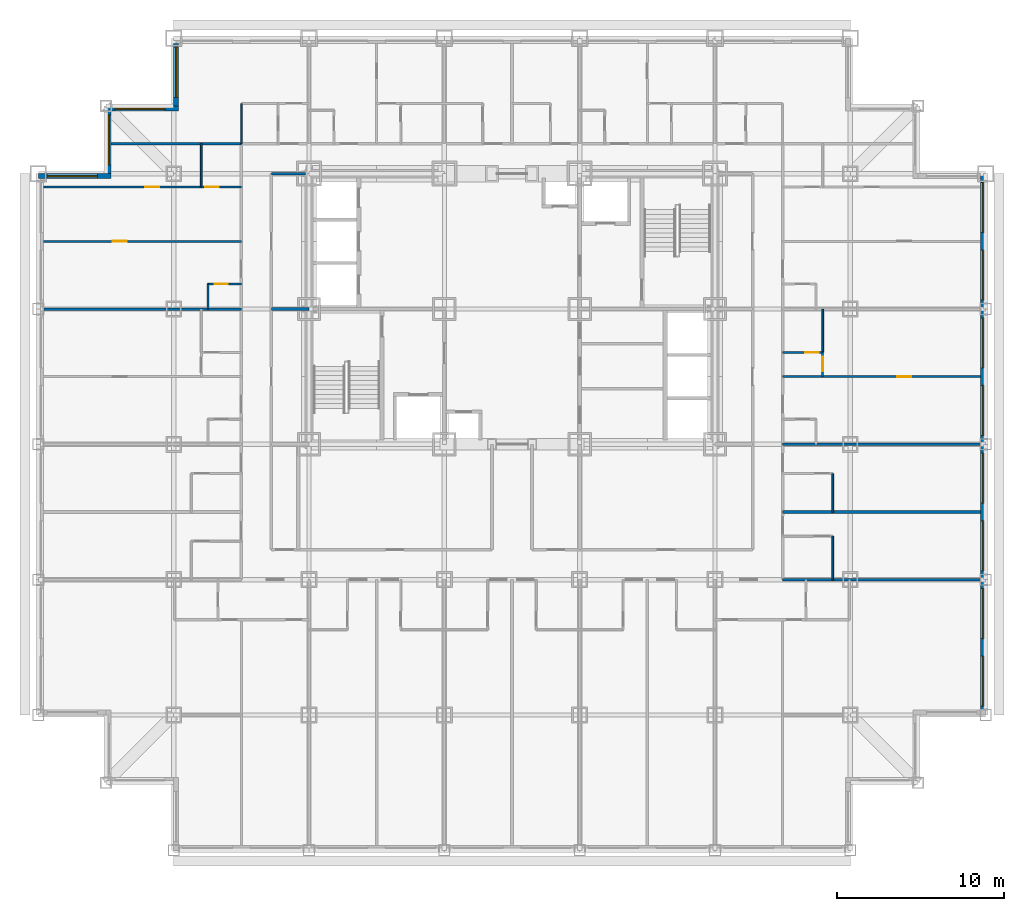
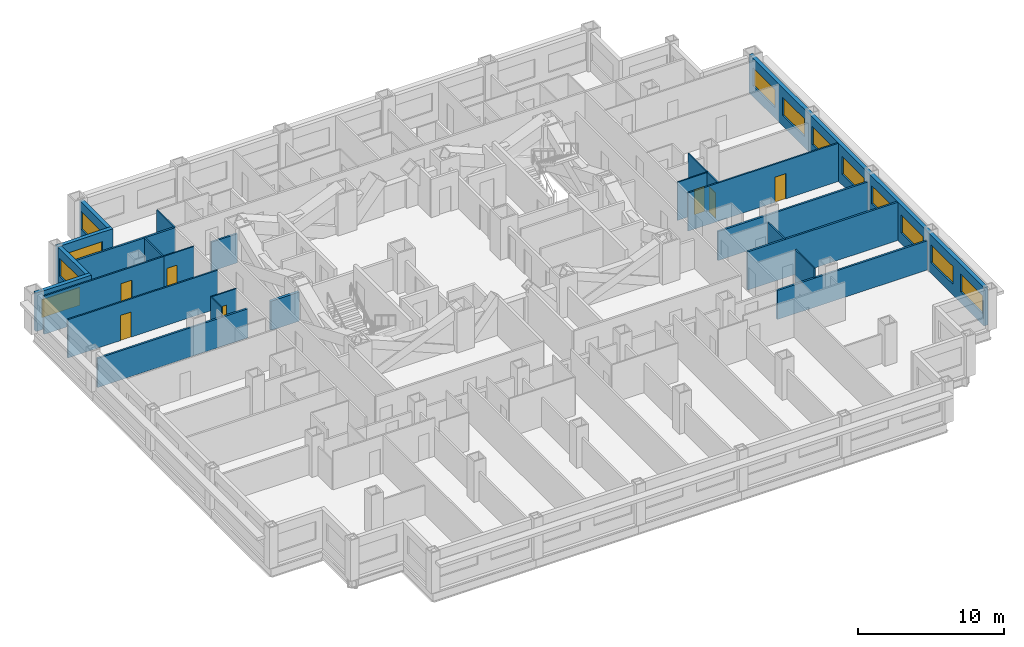
# One storey, part 7 of 11: 25 walls, 12 windows, 7 doors, 19 openings.
"""IFC4 building model written with IfcOpenShell, lengths in metres."""

import ifcopenshell
import ifcopenshell.guid

model = None  # the IFC model being written
_history = None  # IfcOwnerHistory: only IFC2X3 demands one
_inside = {}  # id of a spatial element -> (the spatial element, [elements in it])
_under = {}  # id of a project, library or spatial element -> (it, [spatial elements below it])
_declared = {}  # id of a project -> (the project, [libraries it declares])
_typed = {}  # id of a type object -> (the type object, [elements of that type])
_made_of = {}  # id of a material, layer set ... -> (it, [elements and type objects made of it])


def new_model(schema):
    """Start an empty IFC model of exactly this schema.

    Asked for "IFC4X3", IfcOpenShell would pick the latest addendum, in which some entities
    have other attributes; the version numbers below select the first issue.
    IFC2X3 requires an IfcOwnerHistory on every rooted entity: one is made here for all.
    """
    global model, _history
    if schema == "IFC4X3":
        model = ifcopenshell.file(schema_version=(4, 3, 0, 0))
    else:
        model = ifcopenshell.file(schema=schema)
    _inside.clear()
    _under.clear()
    _declared.clear()
    _typed.clear()
    _made_of.clear()
    _history = None
    if model.schema == "IFC2X3":
        org = make("IfcOrganization", Name="unknown")
        user = make(
            "IfcPersonAndOrganization",
            ThePerson=make("IfcPerson", FamilyName="unknown"),
            TheOrganization=org,
        )
        app = make(
            "IfcApplication",
            ApplicationDeveloper=org,
            Version="unknown",
            ApplicationFullName="unknown",
            ApplicationIdentifier="unknown",
        )
        _history = make(
            "IfcOwnerHistory",
            OwningUser=user,
            OwningApplication=app,
            ChangeAction="ADDED",
            CreationDate=0,
        )
    return model


def make(cls, **values):
    """One entity of the class cls with the attributes given. An attribute that is None is left unset."""
    return model.create_entity(
        cls, **{name: value for name, value in values.items() if value is not None}
    )


def rooted(cls, **values):
    """An entity with a GlobalId (a new one), such as an element, a storey or a relation."""
    return make(cls, GlobalId=ifcopenshell.guid.new(), OwnerHistory=_history, **values)


def si_unit(unit_type, name, prefix=None):
    """IfcSIUnit, for example si_unit("LENGTHUNIT", "METRE", prefix="MILLI")."""
    return make("IfcSIUnit", UnitType=unit_type, Prefix=prefix, Name=name)


def assignment(units):
    """IfcUnitAssignment: the units of a project."""
    return None if units is None else make("IfcUnitAssignment", Units=units)


def point(xyz):
    """IfcCartesianPoint."""
    return None if xyz is None else make("IfcCartesianPoint", Coordinates=xyz)


def direction(xyz):
    """IfcDirection."""
    return None if xyz is None else make("IfcDirection", DirectionRatios=xyz)


def frame(location, z_axis=None, x_axis=None):
    """IfcAxis2Placement3D, a coordinate frame: its origin and axes. An axis left out is left unset."""
    return make(
        "IfcAxis2Placement3D",
        Location=point(location),
        Axis=direction(z_axis),
        RefDirection=direction(x_axis),
    )


def frame_2d(location, x_axis=None):
    """IfcAxis2Placement2D, a coordinate frame in the plane: its origin and x axis."""
    return make(
        "IfcAxis2Placement2D", Location=point(location), RefDirection=direction(x_axis)
    )


def origin():
    """The frame at (0, 0, 0) with its axes left unset."""
    return frame((0.0, 0.0, 0.0))


def place(relative_to, where):
    """IfcLocalPlacement: puts the frame where relative to a parent placement (None: the world)."""
    return make(
        "IfcLocalPlacement", PlacementRelTo=relative_to, RelativePlacement=where
    )


def context(
    kind, dimensions, precision=None, world=None, true_north=None, identifier=None
):
    """IfcGeometricRepresentationContext, for example the 3D "Model" context."""
    return make(
        "IfcGeometricRepresentationContext",
        ContextIdentifier=identifier,
        ContextType=kind,
        CoordinateSpaceDimension=dimensions,
        Precision=precision,
        WorldCoordinateSystem=world,
        TrueNorth=true_north,
    )


def subcontext(parent, identifier, kind, view, scale=None):
    """IfcGeometricRepresentationSubContext, for example "Body" below "Model"."""
    return make(
        "IfcGeometricRepresentationSubContext",
        ContextIdentifier=identifier,
        ContextType=kind,
        ParentContext=parent,
        TargetScale=scale,
        TargetView=view,
    )


def project(units=None, contexts=None):
    """IfcProject with its units and contexts."""
    return rooted(
        "IfcProject",
        Name="project",
        RepresentationContexts=contexts,
        UnitsInContext=assignment(units),
    )


def spatial(cls, under=None, at=None, **own):
    """A site, building, storey or space (cls), placed at a placement, below another one or the project."""
    s = rooted(cls, ObjectPlacement=at, **own)
    if under is not None:
        _under.setdefault(under.id(), (under, []))[1].append(s)
    return s


def profile(cls, at=None, kind="AREA", **sizes):
    """A parametric profile (cls). Its sizes go by their IFC names, for example OverallWidth=200.0."""
    return make(cls, ProfileType=kind, Position=at, **sizes)


def rectangle(**sizes):
    """IfcRectangleProfileDef."""
    return profile("IfcRectangleProfileDef", **sizes)


def extrude(swept, where, along, depth):
    """IfcExtrudedAreaSolid: the profile swept, set in the frame where, extruded along a direction by depth."""
    return make(
        "IfcExtrudedAreaSolid",
        SweptArea=swept,
        Position=where,
        ExtrudedDirection=direction(along),
        Depth=depth,
    )


def shape(context_of_items, identifier, shape_type, items):
    """IfcShapeRepresentation: the items that make up one representation, for example the "Body"."""
    return make(
        "IfcShapeRepresentation",
        ContextOfItems=context_of_items,
        RepresentationIdentifier=identifier,
        RepresentationType=shape_type,
        Items=items,
    )


def material(Name=None, Category=None):
    """IfcMaterial."""
    return make("IfcMaterial", Name=Name, Category=Category)


def layer(
    of_material, thickness, ventilated=None, Name=None, Category=None, Priority=None
):
    """IfcMaterialLayer: one layer of a wall or slab, of a material (None: an air gap)."""
    return make(
        "IfcMaterialLayer",
        Material=of_material,
        LayerThickness=thickness,
        IsVentilated=ventilated,
        Name=Name,
        Category=Category,
        Priority=Priority,
    )


def layer_set(layers, Name=None):
    """IfcMaterialLayerSet."""
    return make("IfcMaterialLayerSet", MaterialLayers=layers, LayerSetName=Name)


def made_of(thing, what):
    """Note that an element or type object is made of a material, layer set ...; save() writes the relation."""
    if what is not None:
        _made_of.setdefault(what.id(), (what, []))[1].append(thing)
    return thing


def type_object(cls, material=None, **own):
    """A type object (cls), such as IfcWallType, which elements share."""
    return made_of(rooted(cls, **own), material)


def element(
    cls,
    number,
    at=None,
    inside=None,
    cuts=None,
    type_object=None,
    material=None,
    context=None,
    identifier="Body",
    shape_type=None,
    held_by="IfcProductDefinitionShape",
    body=None,
    shapes=None,
    **own,
):
    """One element of the class cls, such as IfcWall. Its Tag is "e" and its number.

    at: its placement. inside: the storey or other place that contains it. cuts: it is an
    opening in that element (IfcRelVoidsElement). A single representation is given by context,
    identifier, shape_type and body (its items); several are given by shapes. held_by: the class
    of the entity that holds the representations. save() writes the other relations.
    """
    e = rooted(cls, Tag="e%d" % number, ObjectPlacement=at, **own)
    if body is not None:
        shapes = [shape(context, identifier, shape_type, body)]
    if shapes is not None:
        e.Representation = make(held_by, Representations=shapes)
    if inside is not None:
        _inside.setdefault(inside.id(), (inside, []))[1].append(e)
    if cuts is not None:
        rooted(
            "IfcRelVoidsElement", RelatingBuildingElement=cuts, RelatedOpeningElement=e
        )
    if type_object is not None:
        _typed.setdefault(type_object.id(), (type_object, []))[1].append(e)
    return made_of(e, material)


def fill(opening, filler):
    """IfcRelFillsElement: the door or window that sits in an opening."""
    return rooted(
        "IfcRelFillsElement",
        RelatingOpeningElement=opening,
        RelatedBuildingElement=filler,
    )


def aggregate(whole, parts):
    """IfcRelAggregates: a whole, such as a stair, and the parts it consists of."""
    return rooted("IfcRelAggregates", RelatingObject=whole, RelatedObjects=parts)


def save(model, path):
    """Write the relations noted so far, then the file.

    IfcRelAggregates (storeys below a building ...), IfcRelContainedInSpatialStructure (elements
    in a storey), IfcRelDefinesByType, IfcRelAssociatesMaterial and IfcRelDeclares: one each for
    every whole, place, type object, material and project.
    """
    for whole, parts in _under.values():
        aggregate(whole, parts)
    for where, things in _inside.values():
        rooted(
            "IfcRelContainedInSpatialStructure",
            RelatedElements=things,
            RelatingStructure=where,
        )
    for kind, things in _typed.values():
        rooted("IfcRelDefinesByType", RelatedObjects=things, RelatingType=kind)
    for what, things in _made_of.values():
        rooted("IfcRelAssociatesMaterial", RelatedObjects=things, RelatingMaterial=what)
    for by, libraries in _declared.values():
        rooted("IfcRelDeclares", RelatingContext=by, RelatedDefinitions=libraries)
    model.write(path)


model = new_model("IFC4")

# Units and contexts
model_context = context("Model", 3, precision=1e-05, world=origin(), true_north=direction((0.0, 1.0)))
body_context = subcontext(model_context, "Body", "Model", "MODEL_VIEW")
ifc_project = project(units=[si_unit("LENGTHUNIT", "METRE"), si_unit("AREAUNIT", "SQUARE_METRE"), si_unit("VOLUMEUNIT", "CUBIC_METRE"), si_unit("PLANEANGLEUNIT", "RADIAN"), si_unit("MASSUNIT", "GRAM", prefix="KILO")], contexts=[model_context])

# Site, building, storey
site_placement = place(None, origin())
site = spatial("IfcSite", under=ifc_project, at=site_placement, CompositionType="ELEMENT")
building_placement = place(site_placement, origin())
building = spatial("IfcBuilding", under=site, at=building_placement, Name="Kopane Lantern Tower", CompositionType="ELEMENT")
storey_placement = place(building_placement, frame((0.0, 0.0, 84.0)))
storey = spatial("IfcBuildingStorey", under=building, at=storey_placement, Name="L21", CompositionType="ELEMENT", Elevation=84.0)

# Wall, opening, door
ifc_material_1 = material(Name="Gypsum board on steel studs", Category="steel")
ifc_layer_1 = layer(ifc_material_1, 0.1201171875)
ifc_layer_set_1 = layer_set([ifc_layer_1], Name="APARTMENT INTERNAL WALL 120")
wall_type_1 = type_object("IfcWallType", Name="APARTMENT INTERNAL WALL 120", PredefinedType="PARTITIONING", material=ifc_layer_set_1)
wall_1_placement = place(storey_placement, frame((12.14990234375, 36.449951171875, 0.0), z_axis=(0.0, 0.0, 1.0), x_axis=(-1.0, 0.0, 0.0)))
wall_1 = element("IfcWall", 1, at=wall_1_placement, inside=storey, type_object=wall_type_1, Name="Apartment Internal Wall 120 L21", PredefinedType="PARTITIONING", context=body_context, shape_type="SweptSolid", body=[
    extrude(rectangle(XDim=11.849853515625, YDim=0.1201171875, at=frame_2d((5.9248046875, 0.0))), origin(), (0.0, 0.0, 1.0), 3.18994140625),
])
opening_1_placement = place(wall_1_placement, frame((6.85009765625, 0.0, 0.0)))
opening_1 = element("IfcOpeningElement", 2, at=opening_1_placement, cuts=wall_1, Name="Opening L21-044", PredefinedType="OPENING", context=body_context, shape_type="SweptSolid", body=[
    extrude(rectangle(XDim=0.85009765625, YDim=2.10009765625, at=frame_2d((0.425048828125, 1.050048828125))), frame((0.0, 0.070068359375, 0.0), z_axis=(0.0, -1.0, 0.0), x_axis=(1.0, 0.0, 0.0)), (0.0, 0.0, 1.0), 0.14013671875),
])
ifc_material_2 = material(Name="Timber door set", Category="wood")
door_type_1 = type_object("IfcDoorType", Name="DOOR D4 850x2100", OperationType="SINGLE_SWING_LEFT", PredefinedType="DOOR", material=ifc_material_2)
door_1_placement = place(opening_1_placement, origin())
door_1 = element("IfcDoor", 3, at=door_1_placement, inside=storey, type_object=door_type_1, Name="Door L21-044", OperationType="SINGLE_SWING_RIGHT", OverallHeight=2.10009765625, OverallWidth=0.85009765625, PredefinedType="DOOR", context=body_context, shape_type="SweptSolid", body=[
    extrude(rectangle(XDim=0.85009765625, YDim=2.10009765625, at=frame_2d((0.425048828125, 1.050048828125))), frame((0.0, 0.02490234375, 0.0), z_axis=(0.0, -1.0, 0.0), x_axis=(1.0, 0.0, 0.0)), (0.0, 0.0, 1.0), 0.050048828125),
])
fill(opening_1, door_1)

wall_2_placement = place(storey_placement, frame((44.550048828125, 28.35009765625, 0.0), z_axis=(0.0, 0.0, 1.0), x_axis=(1.0, 0.0, 0.0)))
wall_2 = element("IfcWall", 4, at=wall_2_placement, inside=storey, type_object=wall_type_1, Name="Apartment Internal Wall 120 L21", PredefinedType="PARTITIONING", context=body_context, shape_type="SweptSolid", body=[
    extrude(rectangle(XDim=11.849853515625, YDim=0.1201171875, at=frame_2d((5.9248046875, 0.0))), origin(), (0.0, 0.0, 1.0), 3.18994140625),
])
opening_2_placement = place(wall_2_placement, frame((6.85009765625, 0.0, 0.0)))
opening_2 = element("IfcOpeningElement", 5, at=opening_2_placement, cuts=wall_2, Name="Opening L21-052", PredefinedType="OPENING", context=body_context, shape_type="SweptSolid", body=[
    extrude(rectangle(XDim=0.85009765625, YDim=2.10009765625, at=frame_2d((0.425048828125, 1.050048828125))), frame((0.0, 0.070068359375, 0.0), z_axis=(0.0, -1.0, 0.0), x_axis=(1.0, 0.0, 0.0)), (0.0, 0.0, 1.0), 0.14013671875),
])
door_2_placement = place(opening_2_placement, origin())
door_2 = element("IfcDoor", 6, at=door_2_placement, inside=storey, type_object=door_type_1, Name="Door L21-052", OperationType="SINGLE_SWING_LEFT", OverallHeight=2.10009765625, OverallWidth=0.85009765625, PredefinedType="DOOR", context=body_context, shape_type="SweptSolid", body=[
    extrude(rectangle(XDim=0.85009765625, YDim=2.10009765625, at=frame_2d((0.425048828125, 1.050048828125))), frame((0.0, 0.02490234375, 0.0), z_axis=(0.0, -1.0, 0.0), x_axis=(1.0, 0.0, 0.0)), (0.0, 0.0, 1.0), 0.050048828125),
])
fill(opening_2, door_2)

wall_3_placement = place(storey_placement, frame((9.760009765625, 39.699951171875, 0.0), z_axis=(0.0, 0.0, 1.0), x_axis=(-1.0, 0.0, 0.0)))
wall_3 = element("IfcWall", 7, at=wall_3_placement, inside=storey, type_object=wall_type_1, Name="Apartment Internal Wall 120 L21", PredefinedType="PARTITIONING", context=body_context, shape_type="SweptSolid", body=[
    extrude(rectangle(XDim=9.4599609375, YDim=0.1201171875, at=frame_2d((4.72998046875, 0.0))), origin(), (0.0, 0.0, 1.0), 3.18994140625),
])
opening_3_placement = place(wall_3_placement, frame((2.52490234375, 0.0, 0.0)))
opening_3 = element("IfcOpeningElement", 8, at=opening_3_placement, cuts=wall_3, Name="Opening L21-074", PredefinedType="OPENING", context=body_context, shape_type="SweptSolid", body=[
    extrude(rectangle(XDim=0.85009765625, YDim=2.10009765625, at=frame_2d((0.425048828125, 1.050048828125))), frame((0.0, 0.070068359375, 0.0), z_axis=(0.0, -1.0, 0.0), x_axis=(1.0, 0.0, 0.0)), (0.0, 0.0, 1.0), 0.14013671875),
])
door_3_placement = place(opening_3_placement, origin())
door_3 = element("IfcDoor", 9, at=door_3_placement, inside=storey, type_object=door_type_1, Name="Door L21-074", OperationType="SINGLE_SWING_RIGHT", OverallHeight=2.10009765625, OverallWidth=0.85009765625, PredefinedType="DOOR", context=body_context, shape_type="SweptSolid", body=[
    extrude(rectangle(XDim=0.85009765625, YDim=2.10009765625, at=frame_2d((0.425048828125, 1.050048828125))), frame((0.0, 0.02490234375, 0.0), z_axis=(0.0, -1.0, 0.0), x_axis=(1.0, 0.0, 0.0)), (0.0, 0.0, 1.0), 0.050048828125),
])
fill(opening_3, door_3)

wall_4_placement = place(storey_placement, frame((46.949951171875, 29.81005859375, 0.0), z_axis=(0.0, 0.0, 1.0), x_axis=(0.0, -1.0, 0.0)))
wall_4 = element("IfcWall", 10, at=wall_4_placement, inside=storey, type_object=wall_type_1, Name="Apartment Internal Wall 120 L21", PredefinedType="PARTITIONING", context=body_context, shape_type="SweptSolid", body=[
    extrude(rectangle(XDim=1.4599609375, YDim=0.1201171875, at=frame_2d((0.72998046875, 0.0))), origin(), (0.0, 0.0, 1.0), 3.18994140625),
])
opening_4_placement = place(wall_4_placement, frame((0.27490234375, 0.0, 0.0)))
opening_4 = element("IfcOpeningElement", 11, at=opening_4_placement, cuts=wall_4, Name="Opening L21-075", PredefinedType="OPENING", context=body_context, shape_type="SweptSolid", body=[
    extrude(rectangle(XDim=0.85009765625, YDim=2.10009765625, at=frame_2d((0.425048828125, 1.050048828125))), frame((0.0, 0.070068359375, 0.0), z_axis=(0.0, -1.0, 0.0), x_axis=(1.0, 0.0, 0.0)), (0.0, 0.0, 1.0), 0.14013671875),
])
door_4_placement = place(opening_4_placement, origin())
door_4 = element("IfcDoor", 12, at=door_4_placement, inside=storey, type_object=door_type_1, Name="Door L21-075", OperationType="SINGLE_SWING_RIGHT", OverallHeight=2.10009765625, OverallWidth=0.85009765625, PredefinedType="DOOR", context=body_context, shape_type="SweptSolid", body=[
    extrude(rectangle(XDim=0.85009765625, YDim=2.10009765625, at=frame_2d((0.425048828125, 1.050048828125))), frame((0.0, 0.02490234375, 0.0), z_axis=(0.0, -1.0, 0.0), x_axis=(1.0, 0.0, 0.0)), (0.0, 0.0, 1.0), 0.050048828125),
])
fill(opening_4, door_4)

# Wall
ifc_material_3 = material(Name="Moisture-resistant board on steel studs", Category="steel")
ifc_layer_2 = layer(ifc_material_3, 0.10009765625)
ifc_layer_set_2 = layer_set([ifc_layer_2], Name="BATHROOM WALL 100")
wall_type_2 = type_object("IfcWallType", Name="BATHROOM WALL 100", PredefinedType="PARTITIONING", material=ifc_layer_set_2)
wall_5_placement = place(storey_placement, frame((10.14990234375, 32.39990234375, 0.0), z_axis=(0.0, 0.0, 1.0), x_axis=(0.0, 1.0, 0.0)))
element("IfcWall", 13, at=wall_5_placement, inside=storey, type_object=wall_type_2, Name="Bathroom Wall 100 L21", PredefinedType="PARTITIONING", context=body_context, shape_type="SweptSolid", body=[
    extrude(rectangle(XDim=1.5, YDim=0.10009765625, at=frame_2d((0.75, 0.0))), origin(), (0.0, 0.0, 1.0), 3.18994140625),
])

# Wall, opening, door
wall_6_placement = place(storey_placement, frame((12.14990234375, 33.89990234375, 0.0), z_axis=(0.0, 0.0, 1.0), x_axis=(-1.0, 0.0, 0.0)))
wall_6 = element("IfcWall", 14, at=wall_6_placement, inside=storey, type_object=wall_type_2, Name="Bathroom Wall 100 L21", PredefinedType="PARTITIONING", context=body_context, shape_type="SweptSolid", body=[
    extrude(rectangle(XDim=2.0, YDim=0.10009765625, at=frame_2d((1.0, 0.0))), origin(), (0.0, 0.0, 1.0), 3.18994140625),
])
opening_5_placement = place(wall_6_placement, frame((0.800048828125, 0.0, 0.0)))
opening_5 = element("IfcOpeningElement", 15, at=opening_5_placement, cuts=wall_6, Name="Opening L21-041", PredefinedType="OPENING", context=body_context, shape_type="SweptSolid", body=[
    extrude(rectangle(XDim=0.800048828125, YDim=2.10009765625, at=frame_2d((0.39990234375, 1.050048828125))), frame((0.0, 0.06005859375, 0.0), z_axis=(0.0, -1.0, 0.0), x_axis=(1.0, 0.0, 0.0)), (0.0, 0.0, 1.0), 0.1201171875),
])
ifc_material_4 = material(Name="Timber door set", Category="wood")
door_type_2 = type_object("IfcDoorType", Name="DOOR D2 800x2100", OperationType="SINGLE_SWING_LEFT", PredefinedType="DOOR", material=ifc_material_4)
door_5_placement = place(opening_5_placement, origin())
door_5 = element("IfcDoor", 16, at=door_5_placement, inside=storey, type_object=door_type_2, Name="Door L21-041", OperationType="SINGLE_SWING_RIGHT", OverallHeight=2.10009765625, OverallWidth=0.800048828125, PredefinedType="DOOR", context=body_context, shape_type="SweptSolid", body=[
    extrude(rectangle(XDim=0.800048828125, YDim=2.10009765625, at=frame_2d((0.39990234375, 1.050048828125))), frame((0.0, 0.02490234375, 0.0), z_axis=(0.0, -1.0, 0.0), x_axis=(1.0, 0.0, 0.0)), (0.0, 0.0, 1.0), 0.050048828125),
])
fill(opening_5, door_5)

# Wall
wall_7_placement = place(storey_placement, frame((9.75, 39.699951171875, 0.0), z_axis=(0.0, 0.0, 1.0), x_axis=(0.0, 1.0, 0.0)))
element("IfcWall", 17, at=wall_7_placement, inside=storey, type_object=wall_type_2, Name="Bathroom Wall 100 L21", PredefinedType="PARTITIONING", context=body_context, shape_type="SweptSolid", body=[
    extrude(rectangle(XDim=2.60009765625, YDim=0.10009765625, at=frame_2d((1.300048828125, 0.0))), origin(), (0.0, 0.0, 1.0), 3.18994140625),
])

# Wall, opening, door
wall_8_placement = place(storey_placement, frame((12.14990234375, 39.699951171875, 0.0), z_axis=(0.0, 0.0, 1.0), x_axis=(-1.0, 0.0, 0.0)))
wall_8 = element("IfcWall", 18, at=wall_8_placement, inside=storey, type_object=wall_type_2, Name="Bathroom Wall 100 L21", PredefinedType="PARTITIONING", context=body_context, shape_type="SweptSolid", body=[
    extrude(rectangle(XDim=2.39990234375, YDim=0.10009765625, at=frame_2d((1.199951171875, 0.0))), origin(), (0.0, 0.0, 1.0), 3.18994140625),
])
opening_6_placement = place(wall_8_placement, frame((1.35009765625, 0.0, 0.0)))
opening_6 = element("IfcOpeningElement", 19, at=opening_6_placement, cuts=wall_8, Name="Opening L21-043", PredefinedType="OPENING", context=body_context, shape_type="SweptSolid", body=[
    extrude(rectangle(XDim=0.800048828125, YDim=2.10009765625, at=frame_2d((0.39990234375, 1.050048828125))), frame((0.0, 0.06005859375, 0.0), z_axis=(0.0, -1.0, 0.0), x_axis=(1.0, 0.0, 0.0)), (0.0, 0.0, 1.0), 0.1201171875),
])
door_6_placement = place(opening_6_placement, origin())
door_6 = element("IfcDoor", 20, at=door_6_placement, inside=storey, type_object=door_type_2, Name="Door L21-043", OperationType="SINGLE_SWING_LEFT", OverallHeight=2.10009765625, OverallWidth=0.800048828125, PredefinedType="DOOR", context=body_context, shape_type="SweptSolid", body=[
    extrude(rectangle(XDim=0.800048828125, YDim=2.10009765625, at=frame_2d((0.39990234375, 1.050048828125))), frame((0.0, 0.02490234375, 0.0), z_axis=(0.0, -1.0, 0.0), x_axis=(1.0, 0.0, 0.0)), (0.0, 0.0, 1.0), 0.050048828125),
])
fill(opening_6, door_6)

# Walls
wall_9_placement = place(storey_placement, frame((47.550048828125, 16.199951171875, 0.0), z_axis=(0.0, 0.0, 1.0), x_axis=(0.0, 1.0, 0.0)))
element("IfcWall", 21, at=wall_9_placement, inside=storey, type_object=wall_type_2, Name="Bathroom Wall 100 L21", PredefinedType="PARTITIONING", context=body_context, shape_type="SweptSolid", body=[
    extrude(rectangle(XDim=2.60009765625, YDim=0.10009765625, at=frame_2d((1.300048828125, 0.0))), origin(), (0.0, 0.0, 1.0), 3.18994140625),
])
wall_10_placement = place(storey_placement, frame((47.550048828125, 20.25, 0.0), z_axis=(0.0, 0.0, 1.0), x_axis=(0.0, 1.0, 0.0)))
element("IfcWall", 22, at=wall_10_placement, inside=storey, type_object=wall_type_2, Name="Bathroom Wall 100 L21", PredefinedType="PARTITIONING", context=body_context, shape_type="SweptSolid", body=[
    extrude(rectangle(XDim=2.300048828125, YDim=0.10009765625, at=frame_2d((1.14990234375, 0.0))), origin(), (0.0, 0.0, 1.0), 3.18994140625),
])
wall_11_placement = place(storey_placement, frame((46.949951171875, 29.800048828125, 0.0), z_axis=(0.0, 0.0, 1.0), x_axis=(0.0, 1.0, 0.0)))
element("IfcWall", 23, at=wall_11_placement, inside=storey, type_object=wall_type_2, Name="Bathroom Wall 100 L21", PredefinedType="PARTITIONING", context=body_context, shape_type="SweptSolid", body=[
    extrude(rectangle(XDim=2.599853515625, YDim=0.10009765625, at=frame_2d((1.2998046875, 0.0))), origin(), (0.0, 0.0, 1.0), 3.18994140625),
])

# Wall, opening, door
wall_12_placement = place(storey_placement, frame((44.550048828125, 29.800048828125, 0.0), z_axis=(0.0, 0.0, 1.0), x_axis=(1.0, 0.0, 0.0)))
wall_12 = element("IfcWall", 24, at=wall_12_placement, inside=storey, type_object=wall_type_2, Name="Bathroom Wall 100 L21", PredefinedType="PARTITIONING", context=body_context, shape_type="SweptSolid", body=[
    extrude(rectangle(XDim=2.39990234375, YDim=0.10009765625, at=frame_2d((1.199951171875, 0.0))), origin(), (0.0, 0.0, 1.0), 3.18994140625),
])
opening_7_placement = place(wall_12_placement, frame((1.35009765625, 0.0, 0.0)))
opening_7 = element("IfcOpeningElement", 25, at=opening_7_placement, cuts=wall_12, Name="Opening L21-051", PredefinedType="OPENING", context=body_context, shape_type="SweptSolid", body=[
    extrude(rectangle(XDim=0.800048828125, YDim=2.10009765625, at=frame_2d((0.39990234375, 1.050048828125))), frame((0.0, 0.06005859375, 0.0), z_axis=(0.0, -1.0, 0.0), x_axis=(1.0, 0.0, 0.0)), (0.0, 0.0, 1.0), 0.1201171875),
])
door_7_placement = place(opening_7_placement, origin())
door_7 = element("IfcDoor", 26, at=door_7_placement, inside=storey, type_object=door_type_2, Name="Door L21-051", OperationType="SINGLE_SWING_LEFT", OverallHeight=2.10009765625, OverallWidth=0.800048828125, PredefinedType="DOOR", context=body_context, shape_type="SweptSolid", body=[
    extrude(rectangle(XDim=0.800048828125, YDim=2.10009765625, at=frame_2d((0.39990234375, 1.050048828125))), frame((0.0, 0.02490234375, 0.0), z_axis=(0.0, -1.0, 0.0), x_axis=(1.0, 0.0, 0.0)), (0.0, 0.0, 1.0), 0.050048828125),
])
fill(opening_7, door_7)

# Walls
wall_13_placement = place(storey_placement, frame((12.14990234375, 42.300048828125, 0.0), z_axis=(0.0, 0.0, 1.0), x_axis=(0.0, 1.0, 0.0)))
element("IfcWall", 27, at=wall_13_placement, inside=storey, type_object=wall_type_2, Name="Bathroom Wall 100 L21", PredefinedType="PARTITIONING", context=body_context, shape_type="SweptSolid", body=[
    extrude(rectangle(XDim=2.39990234375, YDim=0.10009765625, at=frame_2d((1.199951171875, 0.0))), origin(), (0.0, 0.0, 1.0), 3.18994140625),
])
ifc_material_5 = material(Name="Gypsum board on steel studs", Category="steel")
ifc_layer_3 = layer(ifc_material_5, 0.14990234375)
ifc_layer_set_3 = layer_set([ifc_layer_3], Name="CORRIDOR WALL 150 EI 60")
wall_type_3 = type_object("IfcWallType", Name="CORRIDOR WALL 150 EI 60", PredefinedType="PARTITIONING", material=ifc_layer_set_3)
wall_14_placement = place(storey_placement, frame((16.0, 40.5, 0.0), z_axis=(0.0, 0.0, 1.0), x_axis=(-1.0, 0.0, 0.0)))
element("IfcWall", 28, at=wall_14_placement, inside=storey, type_object=wall_type_3, Name="Corridor Wall 150 Ei 60 L21", PredefinedType="PARTITIONING", context=body_context, shape_type="SweptSolid", body=[
    extrude(rectangle(XDim=2.050048828125, YDim=0.14990234375, at=frame_2d((1.02490234375, 0.0))), origin(), (0.0, 0.0, 1.0), 2.427734375),
])
ifc_material_6 = material(Name="Gypsum board on steel studs", Category="steel")
ifc_layer_4 = layer(ifc_material_6, 0.14990234375)
ifc_layer_set_4 = layer_set([ifc_layer_4], Name="DEMISING WALL 150 EI 60")
wall_type_4 = type_object("IfcWallType", Name="DEMISING WALL 150 EI 60", PredefinedType="PARTITIONING", material=ifc_layer_set_4)
wall_15_placement = place(storey_placement, frame((12.14990234375, 32.39990234375, 0.0), z_axis=(0.0, 0.0, 1.0), x_axis=(-1.0, 0.0, 0.0)))
element("IfcWall", 29, at=wall_15_placement, inside=storey, type_object=wall_type_4, Name="Demising Wall 150 Ei 60 L21", PredefinedType="PARTITIONING", context=body_context, shape_type="SweptSolid", body=[
    extrude(rectangle(XDim=11.849853515625, YDim=0.14990234375, at=frame_2d((5.9248046875, 0.0))), origin(), (0.0, 0.0, 1.0), 2.427734375),
])
wall_16_placement = place(storey_placement, frame((44.550048828125, 20.25, 0.0), z_axis=(0.0, 0.0, 1.0), x_axis=(1.0, 0.0, 0.0)))
element("IfcWall", 30, at=wall_16_placement, inside=storey, type_object=wall_type_4, Name="Demising Wall 150 Ei 60 L21", PredefinedType="PARTITIONING", context=body_context, shape_type="SweptSolid", body=[
    extrude(rectangle(XDim=11.849853515625, YDim=0.14990234375, at=frame_2d((5.9248046875, 0.0))), origin(), (0.0, 0.0, 1.0), 3.18994140625),
])
for number, where, z_axis, x_axis, name in (
    (31, (44.550048828125, 24.300048828125, 0.0), (0.0, 0.0, 1.0), (1.0, 0.0, 0.0), "Demising Wall 150 Ei 60 L21"),
    (32, (44.550048828125, 16.199951171875, 0.0), (0.0, 0.0, 1.0), (1.0, 0.0, 0.0), "Demising Wall 150 Ei 60 L21"),
):
    element("IfcWall", number, at=place(storey_placement, frame(where, z_axis=z_axis, x_axis=x_axis)), inside=storey, type_object=wall_type_4, Name=name, PredefinedType="PARTITIONING", context=body_context, shape_type="SweptSolid", body=[
        extrude(rectangle(XDim=11.849853515625, YDim=0.14990234375, at=frame_2d((5.9248046875, 0.0))), origin(), (0.0, 0.0, 1.0), 2.427734375),
    ])
wall_17_placement = place(storey_placement, frame((4.35009765625, 42.300048828125, 0.0), z_axis=(0.0, 0.0, 1.0), x_axis=(1.0, 0.0, 0.0)))
element("IfcWall", 33, at=wall_17_placement, inside=storey, type_object=wall_type_4, Name="Demising Wall 150 Ei 60 L21", PredefinedType="PARTITIONING", context=body_context, shape_type="SweptSolid", body=[
    extrude(rectangle(XDim=7.7998046875, YDim=0.14990234375, at=frame_2d((3.89990234375, 0.0))), origin(), (0.0, 0.0, 1.0), 3.18994140625),
])

# Wall, openings, windows
ifc_material_7 = material(Name="Terracotta rainscreen on light steel framing", Category="masonry")
ifc_layer_5 = layer(ifc_material_7, 0.300048828125)
ifc_layer_set_5 = layer_set([ifc_layer_5], Name="EXTERNAL WALL EW1 300 TERRACOTTA")
wall_type_5 = type_object("IfcWallType", Name="EXTERNAL WALL EW1 300 TERRACOTTA", PredefinedType="SOLIDWALL", material=ifc_layer_set_5)
wall_18_placement = place(storey_placement, frame((56.550048828125, 8.39990234375, 0.0), z_axis=(0.0, 0.0, 1.0), x_axis=(0.0, 1.0, 0.0)))
wall_18 = element("IfcWall", 34, at=wall_18_placement, inside=storey, type_object=wall_type_5, Name="External wall E L21", PredefinedType="SOLIDWALL", context=body_context, shape_type="SweptSolid", body=[
    extrude(rectangle(XDim=32.10009765625, YDim=0.300048828125, at=frame_2d((16.050048828125, 0.0))), origin(), (0.0, 0.0, 1.0), 3.18994140625),
])
opening_8_placement = place(wall_18_placement, frame((0.22509765625, 0.0, 0.89990234375)))
opening_8 = element("IfcOpeningElement", 35, at=opening_8_placement, cuts=wall_18, Name="Opening WR300150", PredefinedType="OPENING", context=body_context, shape_type="SweptSolid", body=[
    extrude(rectangle(XDim=3.0, YDim=1.5, at=frame_2d((1.5, 0.75))), frame((0.0, 0.159912109375, 0.0), z_axis=(0.0, -1.0, 0.0), x_axis=(1.0, 0.0, 0.0)), (0.0, 0.0, 1.0), 0.320068359375),
])
opening_9_placement = place(wall_18_placement, frame((4.27490234375, 0.0, 0.89990234375)))
opening_9 = element("IfcOpeningElement", 36, at=opening_9_placement, cuts=wall_18, Name="Opening WR300150", PredefinedType="OPENING", context=body_context, shape_type="SweptSolid", body=[
    extrude(rectangle(XDim=3.0, YDim=1.5, at=frame_2d((1.5, 0.75))), frame((0.0, 0.159912109375, 0.0), z_axis=(0.0, -1.0, 0.0), x_axis=(1.0, 0.0, 0.0)), (0.0, 0.0, 1.0), 0.320068359375),
])
opening_10_placement = place(wall_18_placement, frame((8.324951171875, 0.0, 0.89990234375)))
opening_10 = element("IfcOpeningElement", 37, at=opening_10_placement, cuts=wall_18, Name="Opening WR300150", PredefinedType="OPENING", context=body_context, shape_type="SweptSolid", body=[
    extrude(rectangle(XDim=3.0, YDim=1.5, at=frame_2d((1.5, 0.75))), frame((0.0, 0.159912109375, 0.0), z_axis=(0.0, -1.0, 0.0), x_axis=(1.0, 0.0, 0.0)), (0.0, 0.0, 1.0), 0.320068359375),
])
opening_11_placement = place(wall_18_placement, frame((12.375, 0.0, 0.89990234375)))
opening_11 = element("IfcOpeningElement", 38, at=opening_11_placement, cuts=wall_18, Name="Opening WR300150", PredefinedType="OPENING", context=body_context, shape_type="SweptSolid", body=[
    extrude(rectangle(XDim=3.0, YDim=1.5, at=frame_2d((1.5, 0.75))), frame((0.0, 0.159912109375, 0.0), z_axis=(0.0, -1.0, 0.0), x_axis=(1.0, 0.0, 0.0)), (0.0, 0.0, 1.0), 0.320068359375),
])
opening_12_placement = place(wall_18_placement, frame((16.425048828125, 0.0, 0.89990234375)))
opening_12 = element("IfcOpeningElement", 39, at=opening_12_placement, cuts=wall_18, Name="Opening WR300150", PredefinedType="OPENING", context=body_context, shape_type="SweptSolid", body=[
    extrude(rectangle(XDim=3.0, YDim=1.5, at=frame_2d((1.5, 0.75))), frame((0.0, 0.159912109375, 0.0), z_axis=(0.0, -1.0, 0.0), x_axis=(1.0, 0.0, 0.0)), (0.0, 0.0, 1.0), 0.320068359375),
])
opening_13_placement = place(wall_18_placement, frame((20.47509765625, 0.0, 0.89990234375)))
opening_13 = element("IfcOpeningElement", 40, at=opening_13_placement, cuts=wall_18, Name="Opening WR300150", PredefinedType="OPENING", context=body_context, shape_type="SweptSolid", body=[
    extrude(rectangle(XDim=3.0, YDim=1.5, at=frame_2d((1.5, 0.75))), frame((0.0, 0.159912109375, 0.0), z_axis=(0.0, -1.0, 0.0), x_axis=(1.0, 0.0, 0.0)), (0.0, 0.0, 1.0), 0.320068359375),
])
opening_14_placement = place(wall_18_placement, frame((24.52490234375, 0.0, 0.89990234375)))
opening_14 = element("IfcOpeningElement", 41, at=opening_14_placement, cuts=wall_18, Name="Opening WR300150", PredefinedType="OPENING", context=body_context, shape_type="SweptSolid", body=[
    extrude(rectangle(XDim=3.0, YDim=1.5, at=frame_2d((1.5, 0.75))), frame((0.0, 0.159912109375, 0.0), z_axis=(0.0, -1.0, 0.0), x_axis=(1.0, 0.0, 0.0)), (0.0, 0.0, 1.0), 0.320068359375),
])
opening_15_placement = place(wall_18_placement, frame((28.574951171875, 0.0, 0.89990234375)))
opening_15 = element("IfcOpeningElement", 42, at=opening_15_placement, cuts=wall_18, Name="Opening WR300150", PredefinedType="OPENING", context=body_context, shape_type="SweptSolid", body=[
    extrude(rectangle(XDim=3.0, YDim=1.5, at=frame_2d((1.5, 0.75))), frame((0.0, 0.159912109375, 0.0), z_axis=(0.0, -1.0, 0.0), x_axis=(1.0, 0.0, 0.0)), (0.0, 0.0, 1.0), 0.320068359375),
])
ifc_material_8 = material(Name="Aluminium and clear glass", Category="aluminium")
window_type = type_object("IfcWindowType", Name="RIBBON WINDOW WR300150 3000x1500", PartitioningType="SINGLE_PANEL", PredefinedType="WINDOW", material=ifc_material_8)
window_1_placement = place(opening_8_placement, origin())
window_1 = element("IfcWindow", 43, at=window_1_placement, inside=storey, type_object=window_type, Name="Window E L21", OverallHeight=1.5, OverallWidth=3.0, PartitioningType="SINGLE_PANEL", PredefinedType="WINDOW", context=body_context, shape_type="SweptSolid", body=[
    extrude(rectangle(XDim=3.0, YDim=1.5, at=frame_2d((1.5, 0.75))), frame((0.0, 0.030029296875, 0.0), z_axis=(0.0, -1.0, 0.0), x_axis=(1.0, 0.0, 0.0)), (0.0, 0.0, 1.0), 0.06005859375),
])
fill(opening_8, window_1)
window_2_placement = place(opening_9_placement, origin())
window_2 = element("IfcWindow", 44, at=window_2_placement, inside=storey, type_object=window_type, Name="Window E L21", OverallHeight=1.5, OverallWidth=3.0, PartitioningType="SINGLE_PANEL", PredefinedType="WINDOW", context=body_context, shape_type="SweptSolid", body=[
    extrude(rectangle(XDim=3.0, YDim=1.5, at=frame_2d((1.5, 0.75))), frame((0.0, 0.030029296875, 0.0), z_axis=(0.0, -1.0, 0.0), x_axis=(1.0, 0.0, 0.0)), (0.0, 0.0, 1.0), 0.06005859375),
])
fill(opening_9, window_2)
window_3_placement = place(opening_10_placement, origin())
window_3 = element("IfcWindow", 45, at=window_3_placement, inside=storey, type_object=window_type, Name="Window E L21", OverallHeight=1.5, OverallWidth=3.0, PartitioningType="SINGLE_PANEL", PredefinedType="WINDOW", context=body_context, shape_type="SweptSolid", body=[
    extrude(rectangle(XDim=3.0, YDim=1.5, at=frame_2d((1.5, 0.75))), frame((0.0, 0.030029296875, 0.0), z_axis=(0.0, -1.0, 0.0), x_axis=(1.0, 0.0, 0.0)), (0.0, 0.0, 1.0), 0.06005859375),
])
fill(opening_10, window_3)
window_4_placement = place(opening_11_placement, origin())
window_4 = element("IfcWindow", 46, at=window_4_placement, inside=storey, type_object=window_type, Name="Window E L21", OverallHeight=1.5, OverallWidth=3.0, PartitioningType="SINGLE_PANEL", PredefinedType="WINDOW", context=body_context, shape_type="SweptSolid", body=[
    extrude(rectangle(XDim=3.0, YDim=1.5, at=frame_2d((1.5, 0.75))), frame((0.0, 0.030029296875, 0.0), z_axis=(0.0, -1.0, 0.0), x_axis=(1.0, 0.0, 0.0)), (0.0, 0.0, 1.0), 0.06005859375),
])
fill(opening_11, window_4)
window_5_placement = place(opening_12_placement, origin())
window_5 = element("IfcWindow", 47, at=window_5_placement, inside=storey, type_object=window_type, Name="Window E L21", OverallHeight=1.5, OverallWidth=3.0, PartitioningType="SINGLE_PANEL", PredefinedType="WINDOW", context=body_context, shape_type="SweptSolid", body=[
    extrude(rectangle(XDim=3.0, YDim=1.5, at=frame_2d((1.5, 0.75))), frame((0.0, 0.030029296875, 0.0), z_axis=(0.0, -1.0, 0.0), x_axis=(1.0, 0.0, 0.0)), (0.0, 0.0, 1.0), 0.06005859375),
])
fill(opening_12, window_5)
window_6_placement = place(opening_13_placement, origin())
window_6 = element("IfcWindow", 48, at=window_6_placement, inside=storey, type_object=window_type, Name="Window E L21", OverallHeight=1.5, OverallWidth=3.0, PartitioningType="SINGLE_PANEL", PredefinedType="WINDOW", context=body_context, shape_type="SweptSolid", body=[
    extrude(rectangle(XDim=3.0, YDim=1.5, at=frame_2d((1.5, 0.75))), frame((0.0, 0.030029296875, 0.0), z_axis=(0.0, -1.0, 0.0), x_axis=(1.0, 0.0, 0.0)), (0.0, 0.0, 1.0), 0.06005859375),
])
fill(opening_13, window_6)
window_7_placement = place(opening_14_placement, origin())
window_7 = element("IfcWindow", 49, at=window_7_placement, inside=storey, type_object=window_type, Name="Window E L21", OverallHeight=1.5, OverallWidth=3.0, PartitioningType="SINGLE_PANEL", PredefinedType="WINDOW", context=body_context, shape_type="SweptSolid", body=[
    extrude(rectangle(XDim=3.0, YDim=1.5, at=frame_2d((1.5, 0.75))), frame((0.0, 0.030029296875, 0.0), z_axis=(0.0, -1.0, 0.0), x_axis=(1.0, 0.0, 0.0)), (0.0, 0.0, 1.0), 0.06005859375),
])
fill(opening_14, window_7)
window_8_placement = place(opening_15_placement, origin())
window_8 = element("IfcWindow", 50, at=window_8_placement, inside=storey, type_object=window_type, Name="Window E L21", OverallHeight=1.5, OverallWidth=3.0, PartitioningType="SINGLE_PANEL", PredefinedType="WINDOW", context=body_context, shape_type="SweptSolid", body=[
    extrude(rectangle(XDim=3.0, YDim=1.5, at=frame_2d((1.5, 0.75))), frame((0.0, 0.030029296875, 0.0), z_axis=(0.0, -1.0, 0.0), x_axis=(1.0, 0.0, 0.0)), (0.0, 0.0, 1.0), 0.06005859375),
])
fill(opening_15, window_8)

# Wall, opening, window
wall_19_placement = place(storey_placement, frame((8.25, 48.300048828125, 0.0), z_axis=(0.0, 0.0, 1.0), x_axis=(0.0, -1.0, 0.0)))
wall_19 = element("IfcWall", 51, at=wall_19_placement, inside=storey, type_object=wall_type_5, Name="External wall W L21", PredefinedType="SOLIDWALL", context=body_context, shape_type="SweptSolid", body=[
    extrude(rectangle(XDim=3.75, YDim=0.300048828125, at=frame_2d((1.875, 0.0))), origin(), (0.0, 0.0, 1.0), 3.18994140625),
])
opening_16_placement = place(wall_19_placement, frame((0.22509765625, 0.0, 0.89990234375)))
opening_16 = element("IfcOpeningElement", 52, at=opening_16_placement, cuts=wall_19, Name="Opening WR300150", PredefinedType="OPENING", context=body_context, shape_type="SweptSolid", body=[
    extrude(rectangle(XDim=3.0, YDim=1.5, at=frame_2d((1.5, 0.75))), frame((0.0, 0.159912109375, 0.0), z_axis=(0.0, -1.0, 0.0), x_axis=(1.0, 0.0, 0.0)), (0.0, 0.0, 1.0), 0.320068359375),
])
window_9_placement = place(opening_16_placement, origin())
window_9 = element("IfcWindow", 53, at=window_9_placement, inside=storey, type_object=window_type, Name="Window W L21", OverallHeight=1.5, OverallWidth=3.0, PartitioningType="SINGLE_PANEL", PredefinedType="WINDOW", context=body_context, shape_type="SweptSolid", body=[
    extrude(rectangle(XDim=3.0, YDim=1.5, at=frame_2d((1.5, 0.75))), frame((0.0, 0.030029296875, 0.0), z_axis=(0.0, -1.0, 0.0), x_axis=(1.0, 0.0, 0.0)), (0.0, 0.0, 1.0), 0.06005859375),
])
fill(opening_16, window_9)

wall_20_placement = place(storey_placement, frame((8.39990234375, 44.39990234375, 0.0), z_axis=(0.0, 0.0, 1.0), x_axis=(-1.0, 0.0, 0.0)))
wall_20 = element("IfcWall", 54, at=wall_20_placement, inside=storey, type_object=wall_type_5, Name="External wall N L21", PredefinedType="SOLIDWALL", context=body_context, shape_type="SweptSolid", body=[
    extrude(rectangle(XDim=4.349853515625, YDim=0.300048828125, at=frame_2d((2.1748046875, 0.0))), origin(), (0.0, 0.0, 1.0), 3.18994140625),
])
opening_17_placement = place(wall_20_placement, frame((0.824951171875, 0.0, 0.89990234375)))
opening_17 = element("IfcOpeningElement", 55, at=opening_17_placement, cuts=wall_20, Name="Opening WR300150", PredefinedType="OPENING", context=body_context, shape_type="SweptSolid", body=[
    extrude(rectangle(XDim=3.0, YDim=1.5, at=frame_2d((1.5, 0.75))), frame((0.0, 0.159912109375, 0.0), z_axis=(0.0, -1.0, 0.0), x_axis=(1.0, 0.0, 0.0)), (0.0, 0.0, 1.0), 0.320068359375),
])
window_10_placement = place(opening_17_placement, origin())
window_10 = element("IfcWindow", 56, at=window_10_placement, inside=storey, type_object=window_type, Name="Window N L21", OverallHeight=1.5, OverallWidth=3.0, PartitioningType="SINGLE_PANEL", PredefinedType="WINDOW", context=body_context, shape_type="SweptSolid", body=[
    extrude(rectangle(XDim=3.0, YDim=1.5, at=frame_2d((1.5, 0.75))), frame((0.0, 0.030029296875, 0.0), z_axis=(0.0, -1.0, 0.0), x_axis=(1.0, 0.0, 0.0)), (0.0, 0.0, 1.0), 0.06005859375),
])
fill(opening_17, window_10)

wall_21_placement = place(storey_placement, frame((4.199951171875, 44.25, 0.0), z_axis=(0.0, 0.0, 1.0), x_axis=(0.0, -1.0, 0.0)))
wall_21 = element("IfcWall", 57, at=wall_21_placement, inside=storey, type_object=wall_type_5, Name="External wall W L21", PredefinedType="SOLIDWALL", context=body_context, shape_type="SweptSolid", body=[
    extrude(rectangle(XDim=3.75, YDim=0.300048828125, at=frame_2d((1.875, 0.0))), origin(), (0.0, 0.0, 1.0), 3.18994140625),
])
opening_18_placement = place(wall_21_placement, frame((0.22509765625, 0.0, 0.89990234375)))
opening_18 = element("IfcOpeningElement", 58, at=opening_18_placement, cuts=wall_21, Name="Opening WR300150", PredefinedType="OPENING", context=body_context, shape_type="SweptSolid", body=[
    extrude(rectangle(XDim=3.0, YDim=1.5, at=frame_2d((1.5, 0.75))), frame((0.0, 0.159912109375, 0.0), z_axis=(0.0, -1.0, 0.0), x_axis=(1.0, 0.0, 0.0)), (0.0, 0.0, 1.0), 0.320068359375),
])
window_11_placement = place(opening_18_placement, origin())
window_11 = element("IfcWindow", 59, at=window_11_placement, inside=storey, type_object=window_type, Name="Window W L21", OverallHeight=1.5, OverallWidth=3.0, PartitioningType="SINGLE_PANEL", PredefinedType="WINDOW", context=body_context, shape_type="SweptSolid", body=[
    extrude(rectangle(XDim=3.0, YDim=1.5, at=frame_2d((1.5, 0.75))), frame((0.0, 0.030029296875, 0.0), z_axis=(0.0, -1.0, 0.0), x_axis=(1.0, 0.0, 0.0)), (0.0, 0.0, 1.0), 0.06005859375),
])
fill(opening_18, window_11)

wall_22_placement = place(storey_placement, frame((4.35009765625, 40.35009765625, 0.0), z_axis=(0.0, 0.0, 1.0), x_axis=(-1.0, 0.0, 0.0)))
wall_22 = element("IfcWall", 60, at=wall_22_placement, inside=storey, type_object=wall_type_5, Name="External wall N L21", PredefinedType="SOLIDWALL", context=body_context, shape_type="SweptSolid", body=[
    extrude(rectangle(XDim=4.35009765625, YDim=0.300048828125, at=frame_2d((2.175048828125, 0.0))), origin(), (0.0, 0.0, 1.0), 3.18994140625),
])
opening_19_placement = place(wall_22_placement, frame((0.824951171875, 0.0, 0.89990234375)))
opening_19 = element("IfcOpeningElement", 61, at=opening_19_placement, cuts=wall_22, Name="Opening WR300150", PredefinedType="OPENING", context=body_context, shape_type="SweptSolid", body=[
    extrude(rectangle(XDim=3.0, YDim=1.5, at=frame_2d((1.5, 0.75))), frame((0.0, 0.159912109375, 0.0), z_axis=(0.0, -1.0, 0.0), x_axis=(1.0, 0.0, 0.0)), (0.0, 0.0, 1.0), 0.320068359375),
])
window_12_placement = place(opening_19_placement, origin())
window_12 = element("IfcWindow", 62, at=window_12_placement, inside=storey, type_object=window_type, Name="Window N L21", OverallHeight=1.5, OverallWidth=3.0, PartitioningType="SINGLE_PANEL", PredefinedType="WINDOW", context=body_context, shape_type="SweptSolid", body=[
    extrude(rectangle(XDim=3.0, YDim=1.5, at=frame_2d((1.5, 0.75))), frame((0.0, 0.030029296875, 0.0), z_axis=(0.0, -1.0, 0.0), x_axis=(1.0, 0.0, 0.0)), (0.0, 0.0, 1.0), 0.06005859375),
])
fill(opening_19, window_12)

# Wall
ifc_material_9 = material(Name="Concrete masonry", Category="masonry")
ifc_layer_6 = layer(ifc_material_9, 0.199951171875)
ifc_layer_set_6 = layer_set([ifc_layer_6], Name="PLANT ROOM WALL 200 EI 120")
wall_type_6 = type_object("IfcWallType", Name="PLANT ROOM WALL 200 EI 120", PredefinedType="SOLIDWALL", material=ifc_layer_set_6)
wall_23_placement = place(storey_placement, frame((13.949951171875, 32.39990234375, 0.0), z_axis=(0.0, 0.0, 1.0), x_axis=(1.0, 0.0, 0.0)))
element("IfcWall", 63, at=wall_23_placement, inside=storey, type_object=wall_type_6, Name="Plant Room Wall 200 Ei 120 L21", PredefinedType="SOLIDWALL", context=body_context, shape_type="SweptSolid", body=[
    extrude(rectangle(XDim=2.25, YDim=0.199951171875, at=frame_2d((1.125, 0.0))), origin(), (0.0, 0.0, 1.0), 2.427734375),
])

save(model, "model.ifc")
